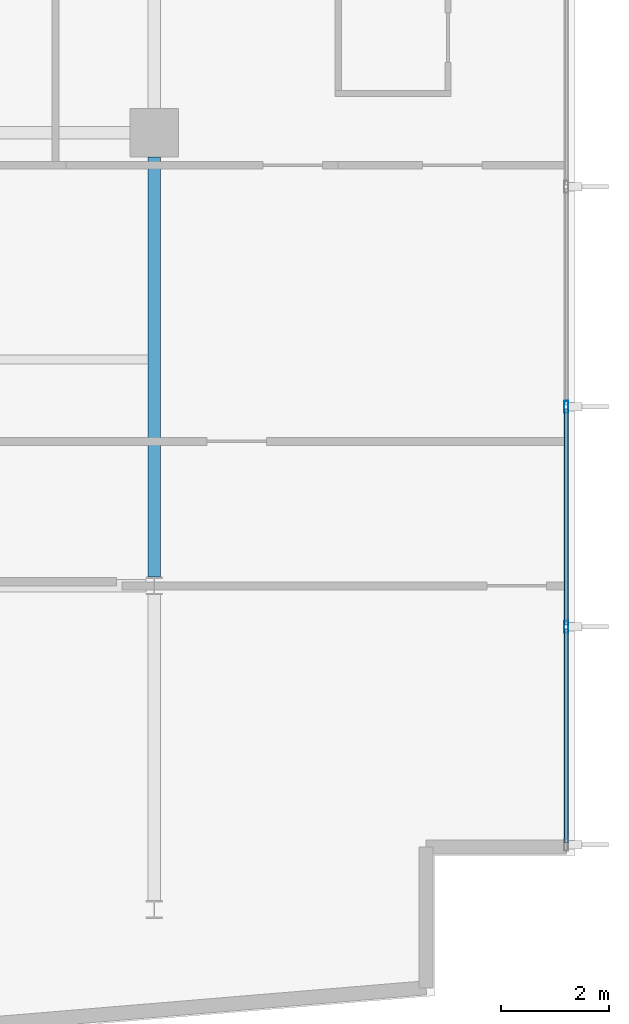
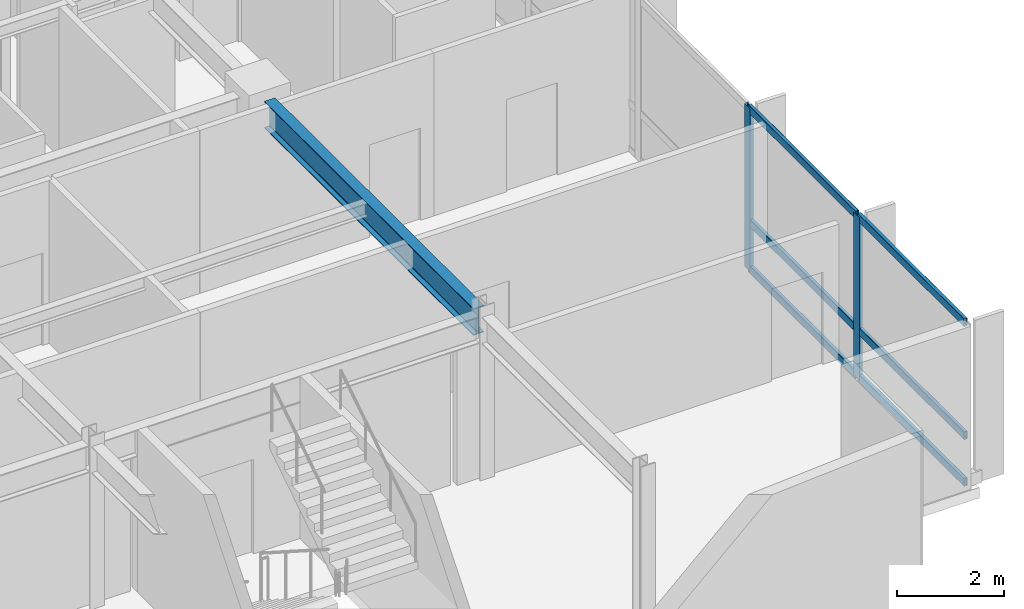
# One storey, part 6 of 22: 8 members, 1 beam, 1 element without a shape of its own.
"""IFC4 building model written with IfcOpenShell, lengths in metres."""

from ifc_helpers import new_model, si_unit, direction, frame, origin, origin_2d, place, context, subcontext, project, spatial, hollow_rectangle, i_section, extrude, material, layer, layer_set, material_profile, profile_set, type_object, element, aggregate, save


model = new_model("IFC4")

# Units and contexts
model_context = context("Model", 3, precision=1e-05, world=origin(), true_north=direction((0.0, 1.0)))
body_context = subcontext(model_context, "Body", "Model", "MODEL_VIEW")
ifc_project = project(units=[si_unit("LENGTHUNIT", "METRE"), si_unit("AREAUNIT", "SQUARE_METRE"), si_unit("VOLUMEUNIT", "CUBIC_METRE"), si_unit("PLANEANGLEUNIT", "RADIAN"), si_unit("MASSUNIT", "GRAM", prefix="KILO")], contexts=[model_context])

# Site, building, storey
site_placement = place(None, origin())
site = spatial("IfcSite", under=ifc_project, at=site_placement, CompositionType="ELEMENT")
building_placement = place(site_placement, origin())
building = spatial("IfcBuilding", under=site, at=building_placement, Name="Varnakote Quay Hospital", CompositionType="ELEMENT")
storey_placement = place(building_placement, frame((0.0, 0.0, 62.0)))
storey = spatial("IfcBuildingStorey", under=building, at=storey_placement, Name="L15", CompositionType="ELEMENT", Elevation=62.0)

# Beam
ifc_material_1 = material(Name="Structural steel AS/NZS 3679.1 Grade 350 L0 (fy 340 MPa)", Category="steel")
ifc_material_profile_1 = material_profile(ifc_material_1, i_section(OverallWidth=0.22900390625, OverallDepth=0.612060546875, WebThickness=0.011962890625, FlangeThickness=0.01953125, FilletRadius=0.013916015625, at=origin_2d()), Name="610UB125")
ifc_profile_set_1 = profile_set([ifc_material_profile_1], Name="Structural steel AS/NZS 3679.1 Grade 350 L0 (fy 340 MPa)")
beam_type = type_object("IfcBeamType", Name="BM-STL-610UB125", PredefinedType="BEAM", material=ifc_profile_set_1)
beam_placement = place(storey_placement, frame((50.39990234375, 12.16357421875, 3.404052734375), z_axis=(0.0, 1.0, 0.0), x_axis=(-1.0, 0.0, 0.0)))
element("IfcBeam", 1, at=beam_placement, inside=storey, type_object=beam_type, Name="L15 Primary Tie Beam", PredefinedType="BEAM", context=body_context, shape_type="SweptSolid", body=[
    extrude(i_section(OverallWidth=0.22900390625, OverallDepth=0.612060546875, WebThickness=0.011962890625, FlangeThickness=0.01953125, FilletRadius=0.013916015625, at=origin_2d()), origin(), (0.0, 0.0, 1.0), 7.786376953125),
])

# Curtain wall, members
ifc_material_2 = material(Name="Anodised aluminium 6063-T6 Bronze", Category="aluminium")
ifc_layer = layer(ifc_material_2, 0.18994140625)
ifc_layer_set = layer_set([ifc_layer], Name="Anodised aluminium 6063-T6 Bronze")
curtain_wall_type = type_object("IfcCurtainWallType", Name="CW-SYS-2", PredefinedType="NOTDEFINED", material=ifc_layer_set)
curtain_wall_placement = place(storey_placement, origin())
curtain_wall = element("IfcCurtainWall", 2, at=curtain_wall_placement, inside=storey, type_object=curtain_wall_type, Name="L15 Unitised Bronze Curtain Wall 1", PredefinedType="NOTDEFINED")
ifc_material_3 = material(Name="Anodised aluminium 6063-T6 Bronze", Category="aluminium")
ifc_material_profile_2 = material_profile(ifc_material_3, hollow_rectangle(XDim=0.074951171875, YDim=0.219970703125, WallThickness=0.00439453125, InnerFilletRadius=0.00439453125, OuterFilletRadius=0.009033203125, at=origin_2d()), Name="CW-MULL-220x75")
ifc_profile_set_2 = profile_set([ifc_material_profile_2], Name="Anodised aluminium 6063-T6 Bronze")
member_type_1 = type_object("IfcMemberType", Name="CW-MULL-220x75", PredefinedType="MULLION", material=ifc_profile_set_2)
member_1_placement = place(storey_placement, frame((58.0400390625, 11.239990234375, 0.0), z_axis=(0.0, 0.0, 1.0), x_axis=(-1.0, 0.0, 0.0)))
member_1 = element("IfcMember", 3, at=member_1_placement, type_object=member_type_1, Name="-2-L15-1 mullion 2", PredefinedType="MULLION", context=body_context, shape_type="SweptSolid", body=[
    extrude(hollow_rectangle(XDim=0.074951171875, YDim=0.219970703125, WallThickness=0.00439453125, InnerFilletRadius=0.00439453125, OuterFilletRadius=0.009033203125, at=origin_2d()), origin(), (0.0, 0.0, 1.0), 3.7099609375),
])
member_2_placement = place(storey_placement, frame((58.0400390625, 15.320068359375, 0.0), z_axis=(0.0, 0.0, 1.0), x_axis=(-1.0, 0.0, 0.0)))
member_2 = element("IfcMember", 4, at=member_2_placement, type_object=member_type_1, Name="-2-L15-1 mullion 3", PredefinedType="MULLION", context=body_context, shape_type="SweptSolid", body=[
    extrude(hollow_rectangle(XDim=0.074951171875, YDim=0.219970703125, WallThickness=0.00439453125, InnerFilletRadius=0.00439453125, OuterFilletRadius=0.009033203125, at=origin_2d()), origin(), (0.0, 0.0, 1.0), 3.7099609375),
])
ifc_material_4 = material(Name="Anodised aluminium 6063-T6 Bronze", Category="aluminium")
ifc_material_profile_3 = material_profile(ifc_material_4, hollow_rectangle(XDim=0.074951171875, YDim=0.179931640625, WallThickness=0.004150390625, InnerFilletRadius=0.004150390625, OuterFilletRadius=0.00830078125, at=origin_2d()), Name="CW-TRAN-180x75")
ifc_profile_set_3 = profile_set([ifc_material_profile_3], Name="Anodised aluminium 6063-T6 Bronze")
member_type_2 = type_object("IfcMemberType", Name="CW-TRAN-180x75", PredefinedType="USERDEFINED", material=ifc_profile_set_3)
member_3_placement = place(storey_placement, frame((58.0400390625, 7.235107421875, 0.03759765625), z_axis=(0.0, 1.0, 0.0), x_axis=(-1.0, 0.0, 0.0)))
member_3 = element("IfcMember", 5, at=member_3_placement, type_object=member_type_2, Name="-2-L15-1 transom 1.1", ObjectType="TRANSOM", PredefinedType="USERDEFINED", context=body_context, shape_type="SweptSolid", body=[
    extrude(hollow_rectangle(XDim=0.074951171875, YDim=0.179931640625, WallThickness=0.004150390625, InnerFilletRadius=0.004150390625, OuterFilletRadius=0.00830078125, at=origin_2d()), origin(), (0.0, 0.0, 1.0), 3.96728515625),
])
member_4_placement = place(storey_placement, frame((58.0400390625, 7.235107421875, 1.10009765625), z_axis=(0.0, 1.0, 0.0), x_axis=(-1.0, 0.0, 0.0)))
member_4 = element("IfcMember", 6, at=member_4_placement, type_object=member_type_2, Name="-2-L15-1 transom 1.2", ObjectType="TRANSOM", PredefinedType="USERDEFINED", context=body_context, shape_type="SweptSolid", body=[
    extrude(hollow_rectangle(XDim=0.074951171875, YDim=0.179931640625, WallThickness=0.004150390625, InnerFilletRadius=0.004150390625, OuterFilletRadius=0.00830078125, at=origin_2d()), origin(), (0.0, 0.0, 1.0), 3.96728515625),
])
member_5_placement = place(storey_placement, frame((58.0400390625, 7.235107421875, 3.672607421875), z_axis=(0.0, 1.0, 0.0), x_axis=(-1.0, 0.0, 0.0)))
member_5 = element("IfcMember", 7, at=member_5_placement, type_object=member_type_2, Name="-2-L15-1 transom 1.3", ObjectType="TRANSOM", PredefinedType="USERDEFINED", context=body_context, shape_type="SweptSolid", body=[
    extrude(hollow_rectangle(XDim=0.074951171875, YDim=0.179931640625, WallThickness=0.004150390625, InnerFilletRadius=0.004150390625, OuterFilletRadius=0.00830078125, at=origin_2d()), origin(), (0.0, 0.0, 1.0), 3.96728515625),
])
member_6_placement = place(storey_placement, frame((58.0400390625, 11.277587890625, 0.03759765625), z_axis=(0.0, 1.0, 0.0), x_axis=(-1.0, 0.0, 0.0)))
member_6 = element("IfcMember", 8, at=member_6_placement, type_object=member_type_2, Name="-2-L15-1 transom 2.1", ObjectType="TRANSOM", PredefinedType="USERDEFINED", context=body_context, shape_type="SweptSolid", body=[
    extrude(hollow_rectangle(XDim=0.074951171875, YDim=0.179931640625, WallThickness=0.004150390625, InnerFilletRadius=0.004150390625, OuterFilletRadius=0.00830078125, at=origin_2d()), origin(), (0.0, 0.0, 1.0), 4.0048828125),
])
member_7_placement = place(storey_placement, frame((58.0400390625, 11.277587890625, 1.10009765625), z_axis=(0.0, 1.0, 0.0), x_axis=(-1.0, 0.0, 0.0)))
member_7 = element("IfcMember", 9, at=member_7_placement, type_object=member_type_2, Name="-2-L15-1 transom 2.2", ObjectType="TRANSOM", PredefinedType="USERDEFINED", context=body_context, shape_type="SweptSolid", body=[
    extrude(hollow_rectangle(XDim=0.074951171875, YDim=0.179931640625, WallThickness=0.004150390625, InnerFilletRadius=0.004150390625, OuterFilletRadius=0.00830078125, at=origin_2d()), origin(), (0.0, 0.0, 1.0), 4.0048828125),
])
member_8_placement = place(storey_placement, frame((58.0400390625, 11.277587890625, 3.672607421875), z_axis=(0.0, 1.0, 0.0), x_axis=(-1.0, 0.0, 0.0)))
member_8 = element("IfcMember", 10, at=member_8_placement, type_object=member_type_2, Name="-2-L15-1 transom 2.3", ObjectType="TRANSOM", PredefinedType="USERDEFINED", context=body_context, shape_type="SweptSolid", body=[
    extrude(hollow_rectangle(XDim=0.074951171875, YDim=0.179931640625, WallThickness=0.004150390625, InnerFilletRadius=0.004150390625, OuterFilletRadius=0.00830078125, at=origin_2d()), origin(), (0.0, 0.0, 1.0), 4.0048828125),
])
aggregate(curtain_wall, [member_1, member_2, member_3, member_4, member_5, member_6, member_7, member_8])

save(model, "model.ifc")
